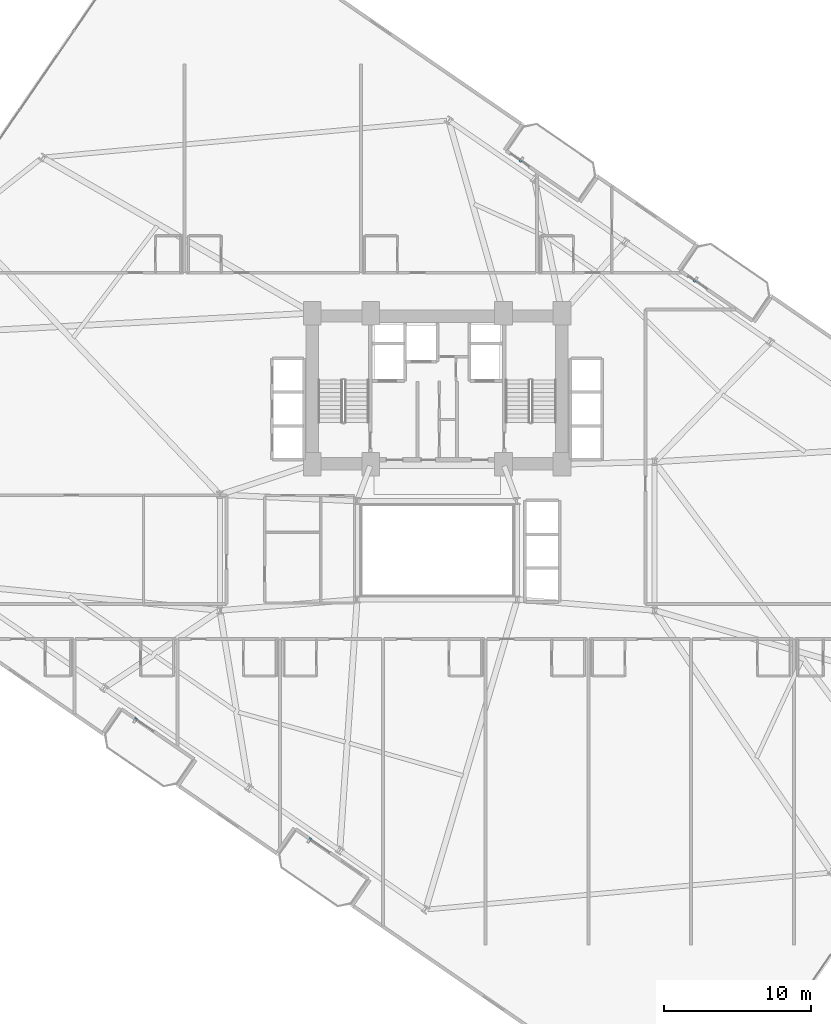
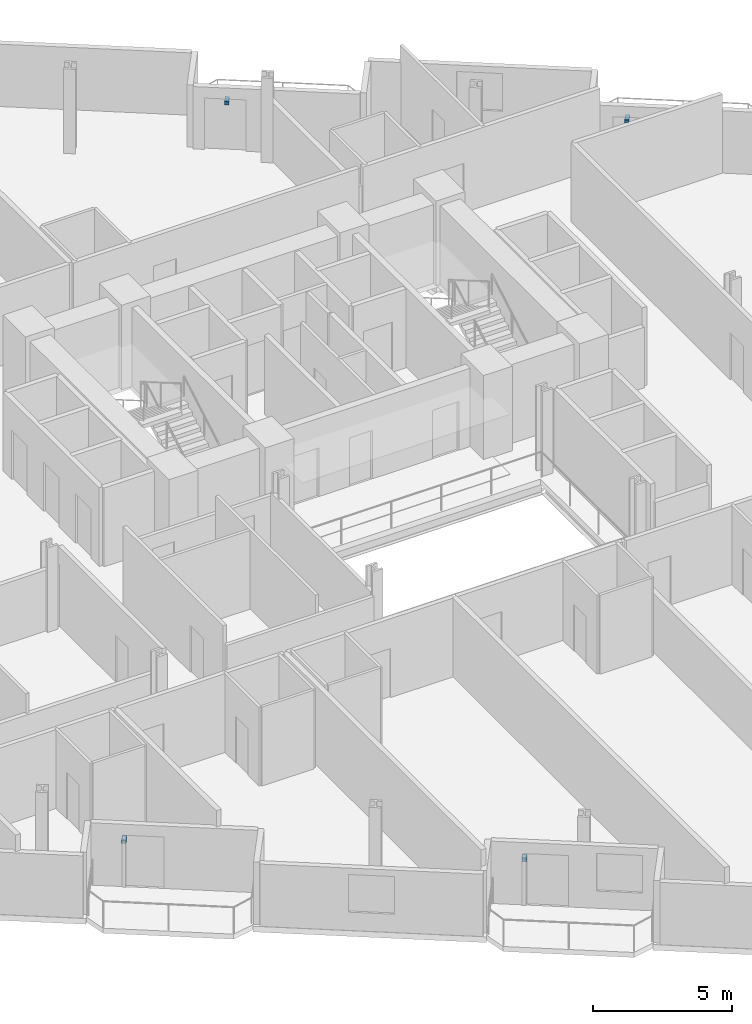
# One storey, part 22 of 25: 4 discrete accessories.
"""IFC4 building model written with IfcOpenShell, lengths in metres."""

from ifc_helpers import new_model, si_unit, direction, frame, origin, origin_2d, place, context, subcontext, project, spatial, rectangle, extrude, source, transform, mapped, material, type_object, element, save


model = new_model("IFC4")

# Units and contexts
model_context = context("Model", 3, precision=1e-05, world=origin(), true_north=direction((0.0, 1.0)))
body_context = subcontext(model_context, "Body", "Model", "MODEL_VIEW")
ifc_project = project(units=[si_unit("LENGTHUNIT", "METRE"), si_unit("AREAUNIT", "SQUARE_METRE"), si_unit("VOLUMEUNIT", "CUBIC_METRE"), si_unit("PLANEANGLEUNIT", "RADIAN"), si_unit("MASSUNIT", "GRAM", prefix="KILO")], contexts=[model_context])

# Site, building, storey
site_placement = place(None, origin())
site = spatial("IfcSite", under=ifc_project, at=site_placement, CompositionType="ELEMENT")
building_placement = place(site_placement, origin())
building = spatial("IfcBuilding", under=site, at=building_placement, Name="Varnelok Gate Tower", CompositionType="ELEMENT")
storey_placement = place(building_placement, frame((0.0, 0.0, 52.89990234375)))
storey = spatial("IfcBuildingStorey", under=building, at=storey_placement, Name="L12", CompositionType="ELEMENT", Elevation=52.89990234375)

# Discrete accessories
ifc_material = material(Name="Structural Steel ASTM A500 Grade C", Category="steel")
discrete_accessory_type = type_object("IfcDiscreteAccessoryType", Name="ACC-BAGUETTE-BRK", PredefinedType="BRACKET", material=ifc_material)
shared_shape = source(origin(), body_context, "Body", "SweptSolid", [
    extrude(rectangle(XDim=0.159912109375, YDim=0.340087890625, at=origin_2d()), origin(), (0.0, 0.0, 1.0), 0.139892578125),
])
for number, where, z_axis, x_axis, name in (
    (1, (18.64453125, 11.32421875, 1.97998046875), (0.0, 0.0, 1.0), (0.823532597628, -0.567268949127, 0.0), "L12 Terracotta Baguette Bracket 1.1"),
    (2, (30.50341796875, 3.155517578125, 1.97998046875), (0.0, 0.0, 1.0), (0.823532597628, -0.567268949127, 0.0), "L12 Terracotta Baguette Bracket 2.1"),
    (3, (44.931884765625, 49.48681640625, 1.97998046875), (0.0, 0.0, 1.0), (0.823532597628, -0.567268949127, 0.0), "L12 Terracotta Baguette Bracket 3.1"),
    (4, (56.790771484375, 41.318115234375, 1.97998046875), (0.0, 0.0, 1.0), (0.823532597628, -0.567268949127, 0.0), "L12 Terracotta Baguette Bracket 4.1"),
):
    element("IfcDiscreteAccessory", number, at=place(storey_placement, frame(where, z_axis=z_axis, x_axis=x_axis)), inside=storey, type_object=discrete_accessory_type, Name=name, PredefinedType="BRACKET", context=body_context, shape_type="MappedRepresentation", body=[
        mapped(shared_shape, transform((0.0, 0.0, 0.0), scale=1.0)),
    ])

save(model, "model.ifc")
